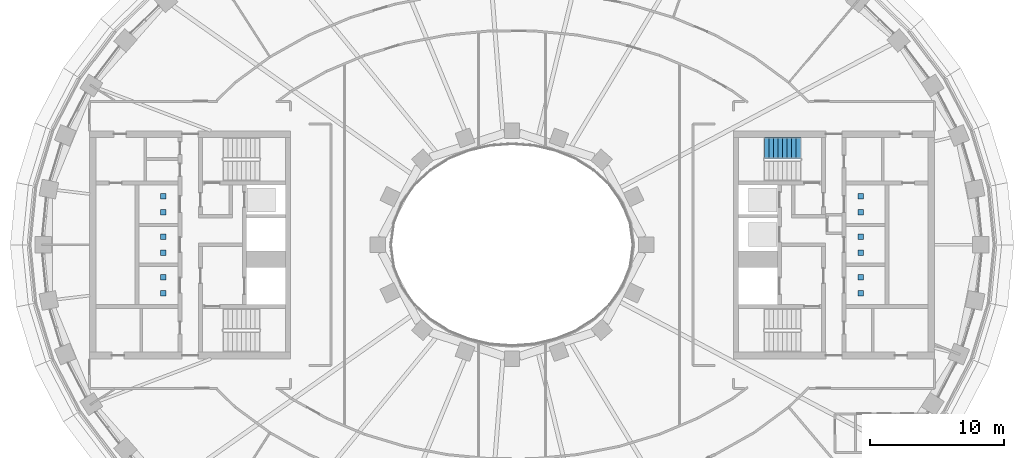
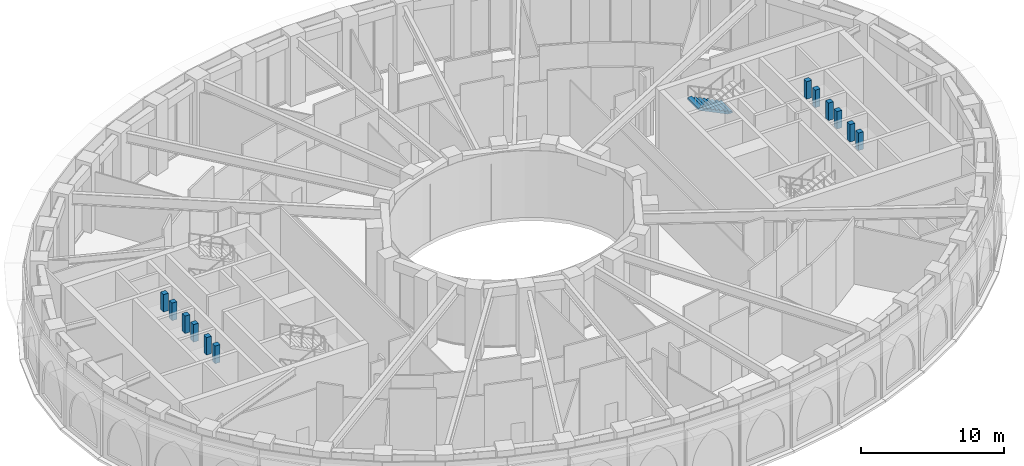
# One storey, part 8 of 23: 12 discrete accessories, 1 stair flight, 1 element without a shape of its own.
"""IFC4 building model written with IfcOpenShell, lengths in metres."""

from ifc_helpers import new_model, si_unit, direction, frame, origin, origin_2d, place, context, subcontext, project, spatial, polyline, rectangle, outline, extrude, material, type_object, element, aggregate, save


model = new_model("IFC4")

# Units and contexts
model_context = context("Model", 3, precision=1e-05, world=origin(), true_north=direction((0.0, 1.0)))
body_context = subcontext(model_context, "Body", "Model", "MODEL_VIEW")
ifc_project = project(units=[si_unit("LENGTHUNIT", "METRE"), si_unit("AREAUNIT", "SQUARE_METRE"), si_unit("VOLUMEUNIT", "CUBIC_METRE"), si_unit("PLANEANGLEUNIT", "RADIAN"), si_unit("MASSUNIT", "GRAM", prefix="KILO")], contexts=[model_context])

# Site, building, storey
site_placement = place(None, origin())
site = spatial("IfcSite", under=ifc_project, at=site_placement, CompositionType="ELEMENT")
building_placement = place(site_placement, origin())
building = spatial("IfcBuilding", under=site, at=building_placement, Name="Noorbagh Ring Tower", CompositionType="ELEMENT")
storey_placement = place(building_placement, frame((0.0, 0.0, 140.0)))
storey = spatial("IfcBuildingStorey", under=building, at=storey_placement, Name="L32", CompositionType="ELEMENT", Elevation=140.0)

# Stair, stair flight
ifc_material_1 = material(Name="Concrete C40/50", Category="concrete")
stair_type = type_object("IfcStairType", Name="CORE-STAIR", PredefinedType="HALF_TURN_STAIR", material=ifc_material_1)
stair_placement = place(storey_placement, origin())
stair = element("IfcStair", 1, at=stair_placement, inside=storey, type_object=stair_type, Name="L32 Exit stair ST3", PredefinedType="HALF_TURN_STAIR")
ifc_material_2 = material(Name="Concrete C40/50", Category="concrete")
stair_flight_type = type_object("IfcStairFlightType", Name="CORE-STAIR-FLIGHT", PredefinedType="STRAIGHT", material=ifc_material_2)
stair_flight_placement = place(storey_placement, frame((21.530029296875, 7.22509765625, 3.0), z_axis=(0.0, 0.0, 1.0), x_axis=(-1.0, 0.0, 0.0)))
stair_flight = element("IfcStairFlight", 2, at=stair_flight_placement, type_object=stair_flight_type, Name="ST3 flight 3", NumberOfRisers=9, NumberOfTreads=8, PredefinedType="STRAIGHT", RiserHeight=0.166666667, TreadLength=0.34, context=body_context, shape_type="SweptSolid", body=[
    extrude(outline(polyline([(0.0, 0.0), (0.0, 0.166748046875), (0.340087890625, 0.166748046875), (0.340087890625, 0.333251953125), (0.679931640625, 0.333251953125), (0.679931640625, 0.5), (1.02001953125, 0.5), (1.02001953125, 0.666748046875), (1.360107421875, 0.666748046875), (1.360107421875, 0.833251953125), (1.699951171875, 0.833251953125), (1.699951171875, 1.0), (2.0400390625, 1.0), (2.0400390625, 1.166748046875), (2.3798828125, 1.166748046875), (2.3798828125, 1.333251953125), (2.719970703125, 1.333251953125), (2.719970703125, 1.5), (2.719970703125, 1.16650390625), (0.340576171875, 0.0), (0.0, 0.0)])), frame((0.0, 0.77490234375, 0.0), z_axis=(0.0, -1.0, 0.0), x_axis=(1.0, 0.0, 0.0)), (0.0, 0.0, 1.0), 1.550048828125),
])
aggregate(stair, [stair_flight])

# Discrete accessories
ifc_material_3 = material(Name="Steel S355", Category="steel")
discrete_accessory_type = type_object("IfcDiscreteAccessoryType", Name="CORE-LIFT-BUFFER", PredefinedType="BRACKET", material=ifc_material_3)
for number, where, z_axis, x_axis, name in (
    (3, (-26.0, -3.625, 4.5), (0.0, 0.0, 1.0), (1.0, 0.0, 0.0), "Lift buffer HR2"),
    (4, (-26.0, -2.425048828125, 4.5), (0.0, 0.0, 1.0), (1.0, 0.0, 0.0), "Lift buffer HR2"),
    (5, (-26.0, -0.60009765625, 4.5), (0.0, 0.0, 1.0), (1.0, 0.0, 0.0), "Lift buffer HR3"),
    (6, (-26.0, 0.60009765625, 4.5), (0.0, 0.0, 1.0), (1.0, 0.0, 0.0), "Lift buffer HR3"),
    (7, (-26.0, 2.425048828125, 4.5), (0.0, 0.0, 1.0), (1.0, 0.0, 0.0), "Lift buffer HR4"),
    (8, (-26.0, 3.625, 4.5), (0.0, 0.0, 1.0), (1.0, 0.0, 0.0), "Lift buffer HR4"),
    (9, (26.0, -3.625, 4.5), (0.0, 0.0, 1.0), (1.0, 0.0, 0.0), "Lift buffer HR9"),
    (10, (26.0, -2.425048828125, 4.5), (0.0, 0.0, 1.0), (1.0, 0.0, 0.0), "Lift buffer HR9"),
    (11, (26.0, -0.60009765625, 4.5), (0.0, 0.0, 1.0), (1.0, 0.0, 0.0), "Lift buffer HR10"),
    (12, (26.0, 0.60009765625, 4.5), (0.0, 0.0, 1.0), (1.0, 0.0, 0.0), "Lift buffer HR10"),
    (13, (26.0, 2.425048828125, 4.5), (0.0, 0.0, 1.0), (1.0, 0.0, 0.0), "Lift buffer HR11"),
    (14, (26.0, 3.625, 4.5), (0.0, 0.0, 1.0), (1.0, 0.0, 0.0), "Lift buffer HR11"),
):
    element("IfcDiscreteAccessory", number, at=place(storey_placement, frame(where, z_axis=z_axis, x_axis=x_axis)), inside=storey, type_object=discrete_accessory_type, Name=name, PredefinedType="BRACKET", context=body_context, shape_type="SweptSolid", body=[
        extrude(rectangle(XDim=0.39990234375, YDim=0.39990234375, at=origin_2d()), origin(), (0.0, 0.0, 1.0), 1.5),
    ])

save(model, "model.ifc")
